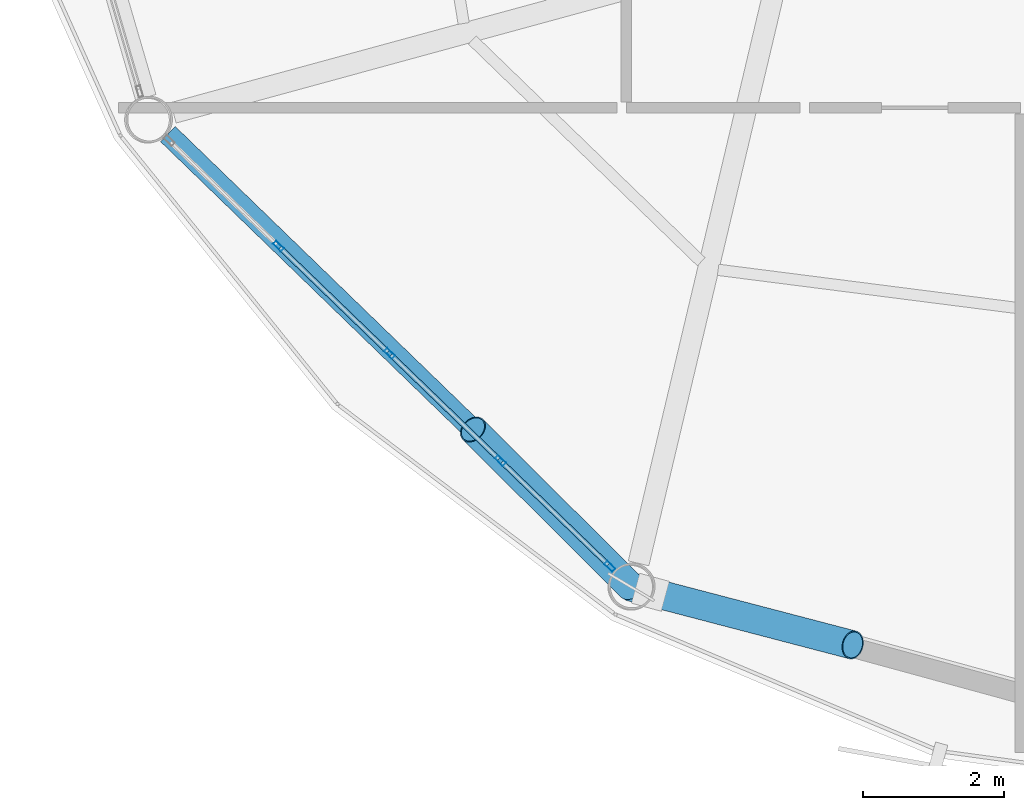
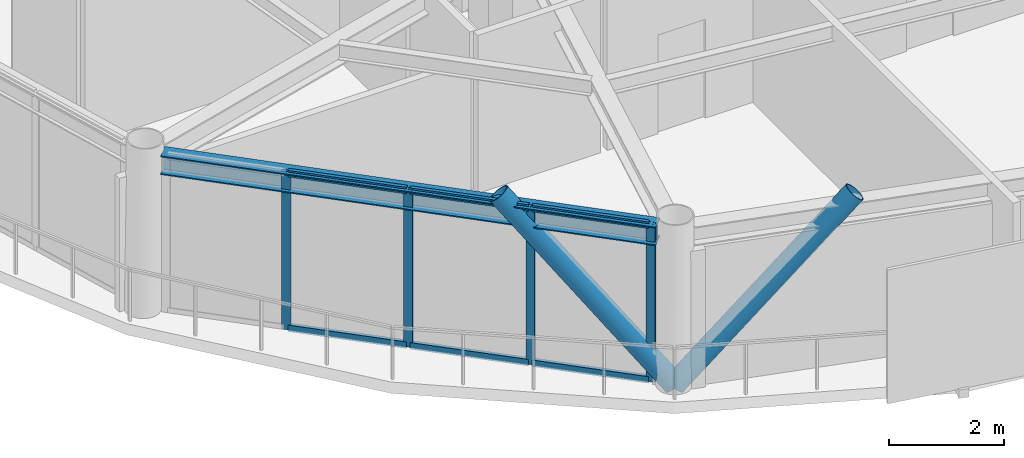
# One storey, part 2 of 28: 12 members, 1 beam, 1 element without a shape of its own.
"""IFC4 building model written with IfcOpenShell, lengths in metres."""

import ifcopenshell
import ifcopenshell.guid

model = None  # the IFC model being written
_history = None  # IfcOwnerHistory: only IFC2X3 demands one
_inside = {}  # id of a spatial element -> (the spatial element, [elements in it])
_under = {}  # id of a project, library or spatial element -> (it, [spatial elements below it])
_declared = {}  # id of a project -> (the project, [libraries it declares])
_typed = {}  # id of a type object -> (the type object, [elements of that type])
_made_of = {}  # id of a material, layer set ... -> (it, [elements and type objects made of it])


def new_model(schema):
    """Start an empty IFC model of exactly this schema.

    Asked for "IFC4X3", IfcOpenShell would pick the latest addendum, in which some entities
    have other attributes; the version numbers below select the first issue.
    IFC2X3 requires an IfcOwnerHistory on every rooted entity: one is made here for all.
    """
    global model, _history
    if schema == "IFC4X3":
        model = ifcopenshell.file(schema_version=(4, 3, 0, 0))
    else:
        model = ifcopenshell.file(schema=schema)
    _inside.clear()
    _under.clear()
    _declared.clear()
    _typed.clear()
    _made_of.clear()
    _history = None
    if model.schema == "IFC2X3":
        org = make("IfcOrganization", Name="unknown")
        user = make(
            "IfcPersonAndOrganization",
            ThePerson=make("IfcPerson", FamilyName="unknown"),
            TheOrganization=org,
        )
        app = make(
            "IfcApplication",
            ApplicationDeveloper=org,
            Version="unknown",
            ApplicationFullName="unknown",
            ApplicationIdentifier="unknown",
        )
        _history = make(
            "IfcOwnerHistory",
            OwningUser=user,
            OwningApplication=app,
            ChangeAction="ADDED",
            CreationDate=0,
        )
    return model


def make(cls, **values):
    """One entity of the class cls with the attributes given. An attribute that is None is left unset."""
    return model.create_entity(
        cls, **{name: value for name, value in values.items() if value is not None}
    )


def rooted(cls, **values):
    """An entity with a GlobalId (a new one), such as an element, a storey or a relation."""
    return make(cls, GlobalId=ifcopenshell.guid.new(), OwnerHistory=_history, **values)


def si_unit(unit_type, name, prefix=None):
    """IfcSIUnit, for example si_unit("LENGTHUNIT", "METRE", prefix="MILLI")."""
    return make("IfcSIUnit", UnitType=unit_type, Prefix=prefix, Name=name)


def assignment(units):
    """IfcUnitAssignment: the units of a project."""
    return None if units is None else make("IfcUnitAssignment", Units=units)


def point(xyz):
    """IfcCartesianPoint."""
    return None if xyz is None else make("IfcCartesianPoint", Coordinates=xyz)


def direction(xyz):
    """IfcDirection."""
    return None if xyz is None else make("IfcDirection", DirectionRatios=xyz)


def frame(location, z_axis=None, x_axis=None):
    """IfcAxis2Placement3D, a coordinate frame: its origin and axes. An axis left out is left unset."""
    return make(
        "IfcAxis2Placement3D",
        Location=point(location),
        Axis=direction(z_axis),
        RefDirection=direction(x_axis),
    )


def frame_2d(location, x_axis=None):
    """IfcAxis2Placement2D, a coordinate frame in the plane: its origin and x axis."""
    return make(
        "IfcAxis2Placement2D", Location=point(location), RefDirection=direction(x_axis)
    )


def origin():
    """The frame at (0, 0, 0) with its axes left unset."""
    return frame((0.0, 0.0, 0.0))


def origin_2d():
    """The frame at (0, 0) in the plane with its x axis left unset."""
    return frame_2d((0.0, 0.0))


def place(relative_to, where):
    """IfcLocalPlacement: puts the frame where relative to a parent placement (None: the world)."""
    return make(
        "IfcLocalPlacement", PlacementRelTo=relative_to, RelativePlacement=where
    )


def context(
    kind, dimensions, precision=None, world=None, true_north=None, identifier=None
):
    """IfcGeometricRepresentationContext, for example the 3D "Model" context."""
    return make(
        "IfcGeometricRepresentationContext",
        ContextIdentifier=identifier,
        ContextType=kind,
        CoordinateSpaceDimension=dimensions,
        Precision=precision,
        WorldCoordinateSystem=world,
        TrueNorth=true_north,
    )


def subcontext(parent, identifier, kind, view, scale=None):
    """IfcGeometricRepresentationSubContext, for example "Body" below "Model"."""
    return make(
        "IfcGeometricRepresentationSubContext",
        ContextIdentifier=identifier,
        ContextType=kind,
        ParentContext=parent,
        TargetScale=scale,
        TargetView=view,
    )


def project(units=None, contexts=None):
    """IfcProject with its units and contexts."""
    return rooted(
        "IfcProject",
        Name="project",
        RepresentationContexts=contexts,
        UnitsInContext=assignment(units),
    )


def spatial(cls, under=None, at=None, **own):
    """A site, building, storey or space (cls), placed at a placement, below another one or the project."""
    s = rooted(cls, ObjectPlacement=at, **own)
    if under is not None:
        _under.setdefault(under.id(), (under, []))[1].append(s)
    return s


def profile(cls, at=None, kind="AREA", **sizes):
    """A parametric profile (cls). Its sizes go by their IFC names, for example OverallWidth=200.0."""
    return make(cls, ProfileType=kind, Position=at, **sizes)


def hollow_rectangle(**sizes):
    """IfcRectangleHollowProfileDef."""
    return profile("IfcRectangleHollowProfileDef", **sizes)


def hollow_circle(**sizes):
    """IfcCircleHollowProfileDef."""
    return profile("IfcCircleHollowProfileDef", **sizes)


def i_section(**sizes):
    """IfcIShapeProfileDef."""
    return profile("IfcIShapeProfileDef", **sizes)


def extrude(swept, where, along, depth):
    """IfcExtrudedAreaSolid: the profile swept, set in the frame where, extruded along a direction by depth."""
    return make(
        "IfcExtrudedAreaSolid",
        SweptArea=swept,
        Position=where,
        ExtrudedDirection=direction(along),
        Depth=depth,
    )


def shape(context_of_items, identifier, shape_type, items):
    """IfcShapeRepresentation: the items that make up one representation, for example the "Body"."""
    return make(
        "IfcShapeRepresentation",
        ContextOfItems=context_of_items,
        RepresentationIdentifier=identifier,
        RepresentationType=shape_type,
        Items=items,
    )


def material(Name=None, Category=None):
    """IfcMaterial."""
    return make("IfcMaterial", Name=Name, Category=Category)


def layer(
    of_material, thickness, ventilated=None, Name=None, Category=None, Priority=None
):
    """IfcMaterialLayer: one layer of a wall or slab, of a material (None: an air gap)."""
    return make(
        "IfcMaterialLayer",
        Material=of_material,
        LayerThickness=thickness,
        IsVentilated=ventilated,
        Name=Name,
        Category=Category,
        Priority=Priority,
    )


def layer_set(layers, Name=None):
    """IfcMaterialLayerSet."""
    return make("IfcMaterialLayerSet", MaterialLayers=layers, LayerSetName=Name)


def material_profile(
    of_material, cross_section, Name=None, Category=None, Priority=None
):
    """IfcMaterialProfile: a cross section and its material."""
    return make(
        "IfcMaterialProfile",
        Name=Name,
        Material=of_material,
        Profile=cross_section,
        Priority=Priority,
        Category=Category,
    )


def profile_set(profiles, Name=None, composite=None):
    """IfcMaterialProfileSet."""
    return make(
        "IfcMaterialProfileSet",
        Name=Name,
        MaterialProfiles=profiles,
        CompositeProfile=composite,
    )


def made_of(thing, what):
    """Note that an element or type object is made of a material, layer set ...; save() writes the relation."""
    if what is not None:
        _made_of.setdefault(what.id(), (what, []))[1].append(thing)
    return thing


def type_object(cls, material=None, **own):
    """A type object (cls), such as IfcWallType, which elements share."""
    return made_of(rooted(cls, **own), material)


def element(
    cls,
    number,
    at=None,
    inside=None,
    cuts=None,
    type_object=None,
    material=None,
    context=None,
    identifier="Body",
    shape_type=None,
    held_by="IfcProductDefinitionShape",
    body=None,
    shapes=None,
    **own,
):
    """One element of the class cls, such as IfcWall. Its Tag is "e" and its number.

    at: its placement. inside: the storey or other place that contains it. cuts: it is an
    opening in that element (IfcRelVoidsElement). A single representation is given by context,
    identifier, shape_type and body (its items); several are given by shapes. held_by: the class
    of the entity that holds the representations. save() writes the other relations.
    """
    e = rooted(cls, Tag="e%d" % number, ObjectPlacement=at, **own)
    if body is not None:
        shapes = [shape(context, identifier, shape_type, body)]
    if shapes is not None:
        e.Representation = make(held_by, Representations=shapes)
    if inside is not None:
        _inside.setdefault(inside.id(), (inside, []))[1].append(e)
    if cuts is not None:
        rooted(
            "IfcRelVoidsElement", RelatingBuildingElement=cuts, RelatedOpeningElement=e
        )
    if type_object is not None:
        _typed.setdefault(type_object.id(), (type_object, []))[1].append(e)
    return made_of(e, material)


def aggregate(whole, parts):
    """IfcRelAggregates: a whole, such as a stair, and the parts it consists of."""
    return rooted("IfcRelAggregates", RelatingObject=whole, RelatedObjects=parts)


def save(model, path):
    """Write the relations noted so far, then the file.

    IfcRelAggregates (storeys below a building ...), IfcRelContainedInSpatialStructure (elements
    in a storey), IfcRelDefinesByType, IfcRelAssociatesMaterial and IfcRelDeclares: one each for
    every whole, place, type object, material and project.
    """
    for whole, parts in _under.values():
        aggregate(whole, parts)
    for where, things in _inside.values():
        rooted(
            "IfcRelContainedInSpatialStructure",
            RelatedElements=things,
            RelatingStructure=where,
        )
    for kind, things in _typed.values():
        rooted("IfcRelDefinesByType", RelatedObjects=things, RelatingType=kind)
    for what, things in _made_of.values():
        rooted("IfcRelAssociatesMaterial", RelatedObjects=things, RelatingMaterial=what)
    for by, libraries in _declared.values():
        rooted("IfcRelDeclares", RelatingContext=by, RelatedDefinitions=libraries)
    model.write(path)


model = new_model("IFC4")

# Units and contexts
model_context = context("Model", 3, precision=1e-05, world=origin(), true_north=direction((0.0, 1.0)))
body_context = subcontext(model_context, "Body", "Model", "MODEL_VIEW")
ifc_project = project(units=[si_unit("LENGTHUNIT", "METRE"), si_unit("AREAUNIT", "SQUARE_METRE"), si_unit("VOLUMEUNIT", "CUBIC_METRE"), si_unit("PLANEANGLEUNIT", "RADIAN"), si_unit("MASSUNIT", "GRAM", prefix="KILO")], contexts=[model_context])

# Site, building, storey
site_placement = place(None, origin())
site = spatial("IfcSite", under=ifc_project, at=site_placement, CompositionType="ELEMENT")
building_placement = place(site_placement, origin())
building = spatial("IfcBuilding", under=site, at=building_placement, Name="Varnakorn Sky Granary", CompositionType="ELEMENT")
storey_placement = place(building_placement, frame((0.0, 0.0, 225.60009765625)))
storey = spatial("IfcBuildingStorey", under=building, at=storey_placement, Name="L57", CompositionType="ELEMENT", Elevation=225.60009765625)

# Beam
ifc_material_1 = material(Name="Steel S355JR", Category="steel")
ifc_material_profile_1 = material_profile(ifc_material_1, i_section(OverallWidth=0.300048828125, OverallDepth=0.39990234375, WebThickness=0.013427734375, FlangeThickness=0.02392578125, at=origin_2d()), Name="HE 400 B")
ifc_profile_set_1 = profile_set([ifc_material_profile_1], Name="Steel S355JR")
beam_type = type_object("IfcBeamType", Name="BM-SPD-Z4", PredefinedType="SPANDREL", material=ifc_profile_set_1)
beam_placement = place(storey_placement, frame((-11.117431640625, -9.272705078125, 3.159912109375), z_axis=(0.71838933823, -0.695641257199, 0.0), x_axis=(0.695641257199, 0.71838933823, 0.0)))
element("IfcBeam", 1, at=beam_placement, inside=storey, type_object=beam_type, Name="Perimeter Spandrel Ring Beam RB08 L57", PredefinedType="SPANDREL", context=body_context, shape_type="SweptSolid", body=[
    extrude(i_section(OverallWidth=0.300048828125, OverallDepth=0.39990234375, WebThickness=0.013427734375, FlangeThickness=0.02392578125, at=origin_2d()), origin(), (0.0, 0.0, 1.0), 8.897216796875),
])

# Curtain wall, members
ifc_material_2 = material(Name="Anodised Bronze Aluminium Alloy 6063-T6", Category="aluminium")
ifc_layer = layer(ifc_material_2, 0.169921875, Name="Anodised Bronze Aluminium Alloy 6063-T6")
ifc_layer_set = layer_set([ifc_layer], Name="Anodised Bronze Aluminium Alloy 6063-T6")
curtain_wall_type = type_object("IfcCurtainWallType", Name="CW-LAB-1", PredefinedType="USERDEFINED", material=ifc_layer_set)
curtain_wall_placement = place(storey_placement, origin())
curtain_wall = element("IfcCurtainWall", 2, at=curtain_wall_placement, inside=storey, type_object=curtain_wall_type, Name="Unitised Curtain Wall CW5 CW-L57-B08", ObjectType="CURTAIN WALL", PredefinedType="USERDEFINED")
ifc_material_profile_2 = material_profile(ifc_material_2, hollow_rectangle(XDim=0.06494140625, YDim=0.159912109375, WallThickness=0.00341796875, at=origin_2d()), Name="ALU MULL 65x160")
ifc_profile_set_2 = profile_set([ifc_material_profile_2], Name="Anodised Bronze Aluminium Alloy 6063-T6")
member_type_1 = type_object("IfcMemberType", Name="CW-LAB-1-MULL", PredefinedType="MULLION", material=ifc_profile_set_2)
member_1_placement = place(storey_placement, frame((-4.837158203125, -15.4169921875, 0.0), z_axis=(0.0, 0.0, 1.0), x_axis=(-0.695009134591, -0.719000906004, 0.0)))
member_1 = element("IfcMember", 3, at=member_1_placement, type_object=member_type_1, Name="CW5 mullion 1", PredefinedType="MULLION", context=body_context, shape_type="SweptSolid", body=[
    extrude(hollow_rectangle(XDim=0.06494140625, YDim=0.159912109375, WallThickness=0.00341796875, at=origin_2d()), origin(), (0.0, 0.0, 1.0), 3.35986328125),
])
member_2_placement = place(storey_placement, frame((-6.39111328125, -13.9150390625, 0.0), z_axis=(0.0, 0.0, 1.0), x_axis=(-0.695009134591, -0.719000906004, 0.0)))
member_2 = element("IfcMember", 4, at=member_2_placement, type_object=member_type_1, Name="CW5 mullion 2", PredefinedType="MULLION", context=body_context, shape_type="SweptSolid", body=[
    extrude(hollow_rectangle(XDim=0.06494140625, YDim=0.159912109375, WallThickness=0.00341796875, at=origin_2d()), origin(), (0.0, 0.0, 1.0), 3.35986328125),
])
member_3_placement = place(storey_placement, frame((-7.968017578125, -12.390625, 0.0), z_axis=(0.0, 0.0, 1.0), x_axis=(-0.695009134591, -0.719000906004, 0.0)))
member_3 = element("IfcMember", 5, at=member_3_placement, type_object=member_type_1, Name="CW5 mullion 3", PredefinedType="MULLION", context=body_context, shape_type="SweptSolid", body=[
    extrude(hollow_rectangle(XDim=0.06494140625, YDim=0.159912109375, WallThickness=0.00341796875, at=origin_2d()), origin(), (0.0, 0.0, 1.0), 3.35986328125),
])
member_4_placement = place(storey_placement, frame((-9.545166015625, -10.865966796875, 0.0), z_axis=(0.0, 0.0, 1.0), x_axis=(-0.695009134591, -0.719000906004, 0.0)))
member_4 = element("IfcMember", 6, at=member_4_placement, type_object=member_type_1, Name="CW5 mullion 4", PredefinedType="MULLION", context=body_context, shape_type="SweptSolid", body=[
    extrude(hollow_rectangle(XDim=0.06494140625, YDim=0.159912109375, WallThickness=0.00341796875, at=origin_2d()), origin(), (0.0, 0.0, 1.0), 3.35986328125),
])
ifc_material_profile_3 = material_profile(ifc_material_2, hollow_rectangle(XDim=0.070068359375, YDim=0.139892578125, WallThickness=0.00341796875, at=origin_2d()), Name="ALU TRAN 70x140")
ifc_profile_set_3 = profile_set([ifc_material_profile_3], Name="Anodised Bronze Aluminium Alloy 6063-T6")
member_type_2 = type_object("IfcMemberType", Name="CW-LAB-1-TRAN", PredefinedType="USERDEFINED", material=ifc_profile_set_3)
member_5_placement = place(storey_placement, frame((-4.860595703125, -15.394287109375, 0.034912109375), z_axis=(-0.71900195689, 0.695008047427, 0.0), x_axis=(-0.695008047427, -0.71900195689, 0.0)))
member_5 = element("IfcMember", 7, at=member_5_placement, type_object=member_type_2, Name="CW5 transom 1.1", ObjectType="TRANSOM", PredefinedType="USERDEFINED", context=body_context, shape_type="SweptSolid", body=[
    extrude(hollow_rectangle(XDim=0.070068359375, YDim=0.139892578125, WallThickness=0.00341796875, at=origin_2d()), origin(), (0.0, 0.0, 1.0), 2.09619140625),
])
member_6_placement = place(storey_placement, frame((-4.860595703125, -15.394287109375, 3.324951171875), z_axis=(-0.71900195689, 0.695008047427, 0.0), x_axis=(-0.695008047427, -0.71900195689, 0.0)))
member_6 = element("IfcMember", 8, at=member_6_placement, type_object=member_type_2, Name="CW5 transom 1.2", ObjectType="TRANSOM", PredefinedType="USERDEFINED", context=body_context, shape_type="SweptSolid", body=[
    extrude(hollow_rectangle(XDim=0.070068359375, YDim=0.139892578125, WallThickness=0.00341796875, at=origin_2d()), origin(), (0.0, 0.0, 1.0), 2.09619140625),
])
member_7_placement = place(storey_placement, frame((-6.414306640625, -13.892333984375, 0.034912109375), z_axis=(-0.719047600515, 0.694960824935, 0.0), x_axis=(-0.694960824935, -0.719047600515, 0.0)))
member_7 = element("IfcMember", 9, at=member_7_placement, type_object=member_type_2, Name="CW5 transom 2.1", ObjectType="TRANSOM", PredefinedType="USERDEFINED", context=body_context, shape_type="SweptSolid", body=[
    extrude(hollow_rectangle(XDim=0.070068359375, YDim=0.139892578125, WallThickness=0.00341796875, at=origin_2d()), origin(), (0.0, 0.0, 1.0), 2.12841796875),
])
member_8_placement = place(storey_placement, frame((-6.414306640625, -13.892333984375, 3.324951171875), z_axis=(-0.719047600515, 0.694960824935, 0.0), x_axis=(-0.694960824935, -0.719047600515, 0.0)))
member_8 = element("IfcMember", 10, at=member_8_placement, type_object=member_type_2, Name="CW5 transom 2.2", ObjectType="TRANSOM", PredefinedType="USERDEFINED", context=body_context, shape_type="SweptSolid", body=[
    extrude(hollow_rectangle(XDim=0.070068359375, YDim=0.139892578125, WallThickness=0.00341796875, at=origin_2d()), origin(), (0.0, 0.0, 1.0), 2.12841796875),
])
member_9_placement = place(storey_placement, frame((-7.991455078125, -12.367919921875, 0.034912109375), z_axis=(-0.718992197455, 0.695018143647, 0.0), x_axis=(-0.695018143647, -0.718992197455, 0.0)))
member_9 = element("IfcMember", 11, at=member_9_placement, type_object=member_type_2, Name="CW5 transom 3.1", ObjectType="TRANSOM", PredefinedType="USERDEFINED", context=body_context, shape_type="SweptSolid", body=[
    extrude(hollow_rectangle(XDim=0.070068359375, YDim=0.139892578125, WallThickness=0.00341796875, at=origin_2d()), origin(), (0.0, 0.0, 1.0), 2.12841796875),
])
member_10_placement = place(storey_placement, frame((-7.991455078125, -12.367919921875, 3.324951171875), z_axis=(-0.718992197455, 0.695018143647, 0.0), x_axis=(-0.695018143647, -0.718992197455, 0.0)))
member_10 = element("IfcMember", 12, at=member_10_placement, type_object=member_type_2, Name="CW5 transom 3.2", ObjectType="TRANSOM", PredefinedType="USERDEFINED", context=body_context, shape_type="SweptSolid", body=[
    extrude(hollow_rectangle(XDim=0.070068359375, YDim=0.139892578125, WallThickness=0.00341796875, at=origin_2d()), origin(), (0.0, 0.0, 1.0), 2.12841796875),
])
aggregate(curtain_wall, [member_1, member_2, member_3, member_4, member_5, member_6, member_7, member_8, member_9, member_10])

# Members
ifc_material_3 = material(Name="Steel S460M", Category="steel")
ifc_material_profile_4 = material_profile(ifc_material_3, hollow_circle(Radius=0.203125, WallThickness=0.01611328125, at=origin_2d()), Name="CHS 406.4x16")
ifc_profile_set_4 = profile_set([ifc_material_profile_4], Name="Steel S460M")
member_type_3 = type_object("IfcMemberType", Name="MB-DIAG-T4", PredefinedType="BRACE", material=ifc_profile_set_4)
member_11_placement = place(storey_placement, frame((-4.533447265625, -15.710693359375, 0.0), z_axis=(-0.476549577722, 0.47468603386, 0.739982208726), x_axis=(-0.705720150245, -0.708490698272, 0.0)))
element("IfcMember", 13, at=member_11_placement, inside=storey, type_object=member_type_3, Name="Perimeter CHS Diagrid Brace DG08 L57", PredefinedType="BRACE", context=body_context, shape_type="SweptSolid", body=[
    extrude(hollow_circle(Radius=0.203125, WallThickness=0.01611328125, at=origin_2d()), origin(), (0.0, 0.0, 1.0), 4.71630859375),
])
member_12_placement = place(storey_placement, frame((-4.533447265625, -15.710693359375, 0.0), z_axis=(0.660009391613, -0.172623349093, 0.731155785268), x_axis=(0.253035301521, 0.96745704617, 0.0)))
element("IfcMember", 14, at=member_12_placement, inside=storey, type_object=member_type_3, Name="Perimeter CHS Diagrid Brace DG09 L57", PredefinedType="BRACE", context=body_context, shape_type="SweptSolid", body=[
    extrude(hollow_circle(Radius=0.203125, WallThickness=0.01611328125, at=origin_2d()), origin(), (0.0, 0.0, 1.0), 4.773193359375),
])

save(model, "model.ifc")
